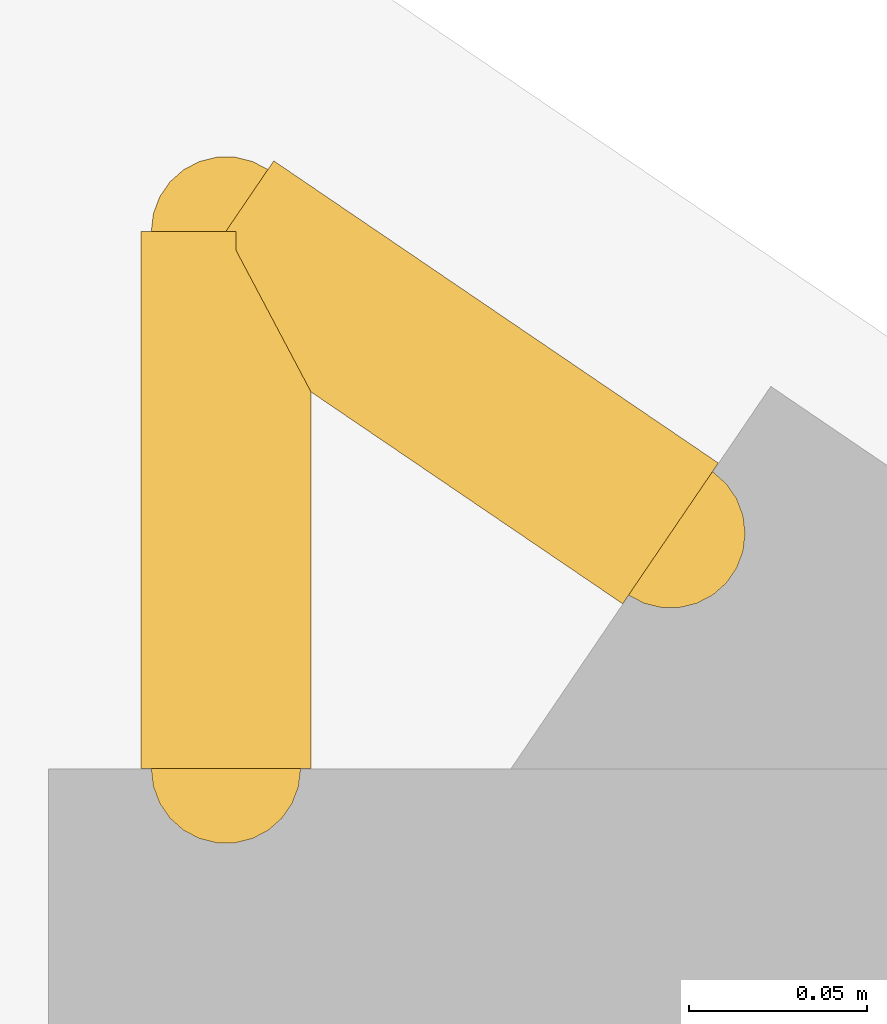
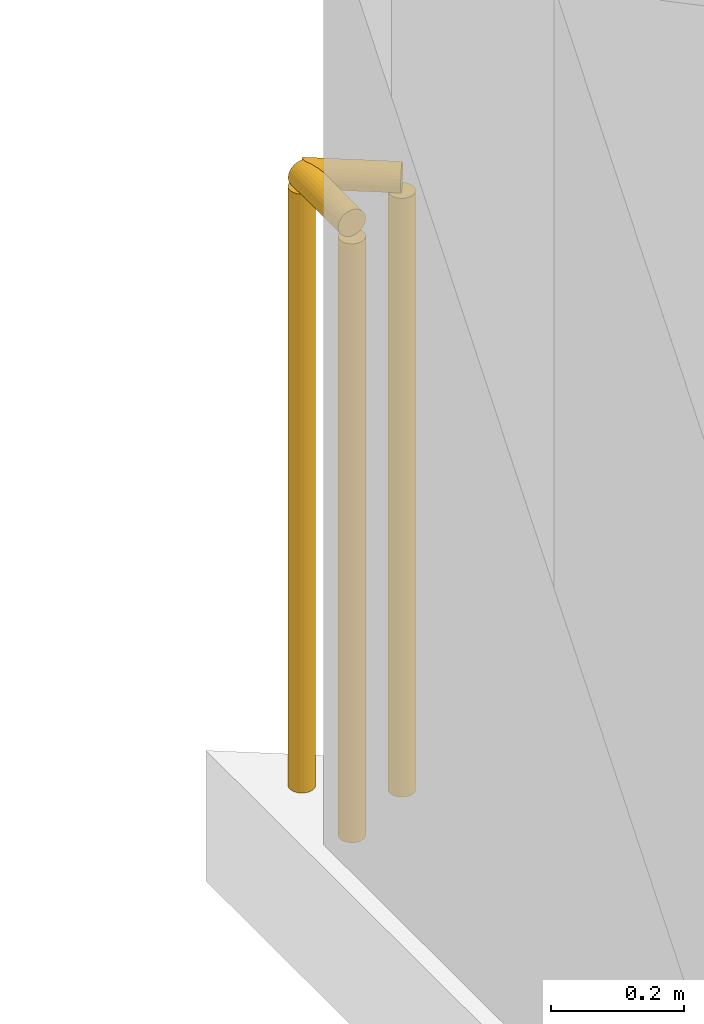
# One storey, part 18 of 19: 2 railings.
"""IFC4 building model written with IfcOpenShell, lengths in metres."""

from ifc_helpers import new_model, si_unit, direction, frame, origin, origin_2d, place, context, subcontext, project, spatial, circle, extrude, material, type_object, element, save


model = new_model("IFC4")

# Units and contexts
model_context = context("Model", 3, precision=1e-05, world=origin(), true_north=direction((0.0, 1.0)))
body_context = subcontext(model_context, "Body", "Model", "MODEL_VIEW")
ifc_project = project(units=[si_unit("LENGTHUNIT", "METRE"), si_unit("AREAUNIT", "SQUARE_METRE"), si_unit("VOLUMEUNIT", "CUBIC_METRE"), si_unit("PLANEANGLEUNIT", "RADIAN"), si_unit("MASSUNIT", "GRAM", prefix="KILO")], contexts=[model_context])

# Site, building, storey
site_placement = place(None, origin())
site = spatial("IfcSite", under=ifc_project, at=site_placement, CompositionType="ELEMENT")
building_placement = place(site_placement, origin())
building = spatial("IfcBuilding", under=site, at=building_placement, Name="Varnakote Quay Hospital", CompositionType="ELEMENT")
storey_placement = place(building_placement, frame((0.0, 0.0, 93.60009765625)))
storey = spatial("IfcBuildingStorey", under=building, at=storey_placement, Name="L23", CompositionType="ELEMENT", Elevation=93.60009765625)

# Railings
ifc_material = material(Name="Anodised aluminium 6063-T6 Bronze", Category="aluminium")
railing_type = type_object("IfcRailingType", Name="RLG-EXT-GUARD-1150", PredefinedType="GUARDRAIL", material=ifc_material)
railing_1_placement = place(storey_placement, frame((2.679931640625, 43.497802734375, 0.0)))
element("IfcRailing", 1, at=railing_1_placement, inside=storey, type_object=railing_type, Name="L23 Slab Edge Perimeter Safety Guard", PredefinedType="GUARDRAIL", context=body_context, shape_type="SweptSolid", body=[
    extrude(circle(Radius=0.02392578125, at=origin_2d()), frame((0.0, 0.0, 1.1259765625), z_axis=(0.0, 1.0, 0.0), x_axis=(-1.0, 0.0, 0.0)), (0.0, 0.0, 1.0), 0.151123046875),
    extrude(circle(Radius=0.02099609375, at=origin_2d()), origin(), (0.0, 0.0, 1.0), 1.101806640625),
    extrude(circle(Radius=0.02099609375, at=origin_2d()), frame((0.0, 0.151123046875, 0.0)), (0.0, 0.0, 1.0), 1.101806640625),
])
railing_2_placement = place(storey_placement, frame((2.679931640625, 43.64892578125, 0.0)))
element("IfcRailing", 2, at=railing_2_placement, inside=storey, type_object=railing_type, Name="L23 Slab Edge Perimeter Safety Guard", PredefinedType="GUARDRAIL", context=body_context, shape_type="SweptSolid", body=[
    extrude(circle(Radius=0.02392578125, at=origin_2d()), frame((0.0, 0.0, 1.1259765625), z_axis=(0.827046660574, -0.562133277109, 0.0), x_axis=(0.562133277109, 0.827046660574, 0.0)), (0.0, 0.0, 1.0), 0.151123046875),
    extrude(circle(Radius=0.02099609375, at=origin_2d()), origin(), (0.0, 0.0, 1.0), 1.101806640625),
    extrude(circle(Radius=0.02099609375, at=origin_2d()), frame((0.125, -0.0849609375, 0.0)), (0.0, 0.0, 1.0), 1.101806640625),
])

save(model, "model.ifc")
